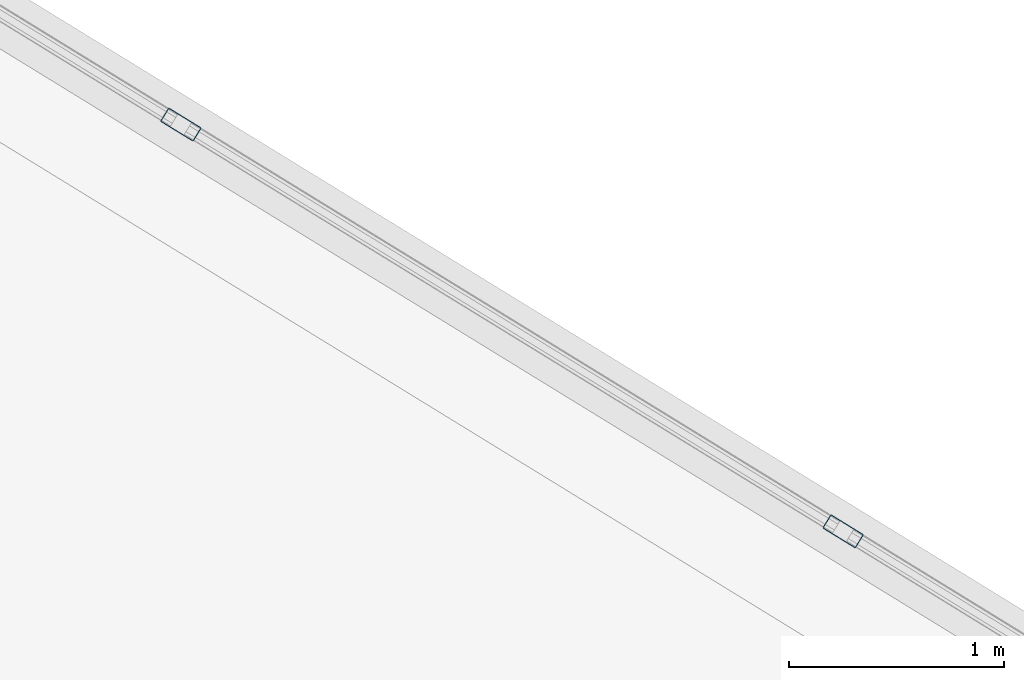
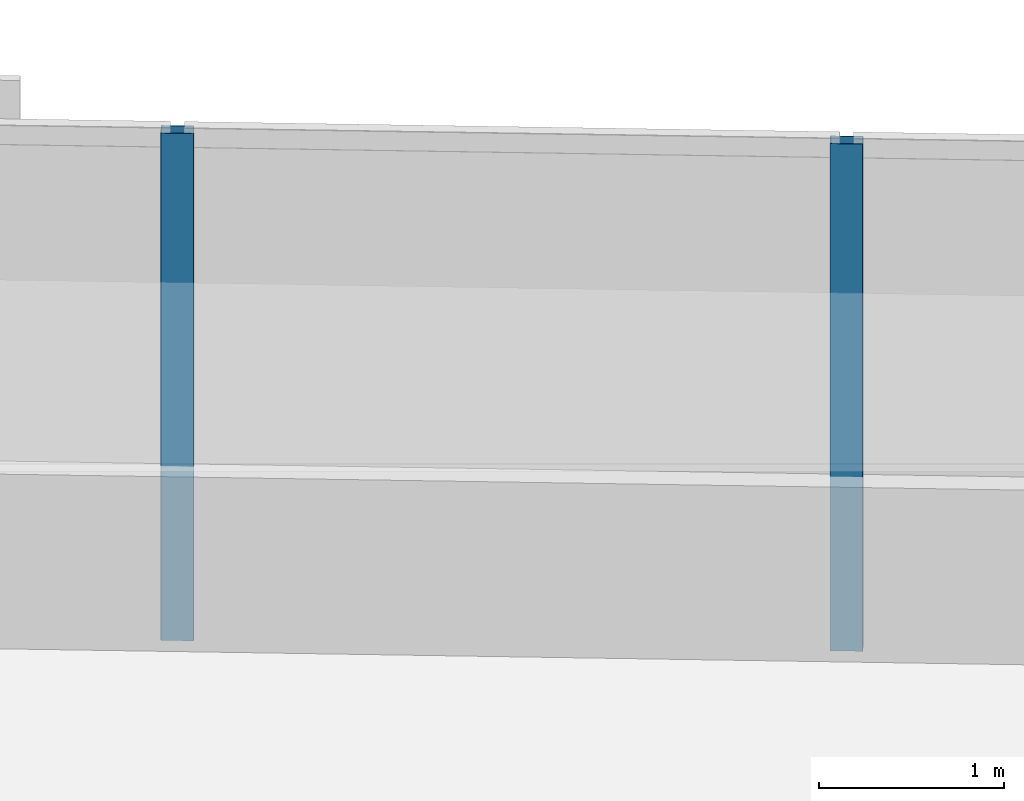
# One storey, part 8 of 18: 2 members, 1 element without a shape of its own.
"""IFC4 building model written with IfcOpenShell, lengths in metres."""

from ifc_helpers import new_model, si_unit, direction, frame, origin, origin_2d, place, context, subcontext, project, spatial, hollow_rectangle, extrude, material, material_profile, profile_set, type_object, element, aggregate, save


model = new_model("IFC4")

# Units and contexts
model_context = context("Model", 3, precision=1e-05, world=origin(), true_north=direction((0.0, 1.0)))
body_context = subcontext(model_context, "Body", "Model", "MODEL_VIEW")
ifc_project = project(units=[si_unit("LENGTHUNIT", "METRE"), si_unit("AREAUNIT", "SQUARE_METRE"), si_unit("VOLUMEUNIT", "CUBIC_METRE"), si_unit("PLANEANGLEUNIT", "RADIAN"), si_unit("MASSUNIT", "GRAM", prefix="KILO")], contexts=[model_context])

# Site, building, storey
site_placement = place(None, origin())
site = spatial("IfcSite", under=ifc_project, at=site_placement, CompositionType="ELEMENT")
building_placement = place(site_placement, origin())
building = spatial("IfcBuilding", under=site, at=building_placement, Name="Narakoshi Arena Tower", CompositionType="ELEMENT")
storey_placement = place(building_placement, frame((0.0, 0.0, 95.699951171875)))
storey = spatial("IfcBuildingStorey", under=building, at=storey_placement, Name="L25", CompositionType="ELEMENT", Elevation=95.699951171875)

# Curtain wall, members
ifc_material = material(Name="Anodised bronze aluminium 6063-T6", Category="aluminium")
curtain_wall_type = type_object("IfcCurtainWallType", Name="CW-HYP-LOW", PredefinedType="NOTDEFINED", material=ifc_material)
curtain_wall_placement = place(storey_placement, origin())
curtain_wall = element("IfcCurtainWall", 1, at=curtain_wall_placement, inside=storey, type_object=curtain_wall_type, Name="L25 Folded Hypotenuse Curtain Wall 1-1", PredefinedType="NOTDEFINED")
ifc_material_profile = material_profile(ifc_material, hollow_rectangle(XDim=0.074951171875, YDim=0.179931640625, WallThickness=0.00390625, OuterFilletRadius=0.0048828125, at=origin_2d()), Name="MUL180x75x4")
ifc_profile_set = profile_set([ifc_material_profile], Name="Anodised bronze aluminium 6063-T6")
member_type = type_object("IfcMemberType", Name="MEM-MUL-180", PredefinedType="MULLION", material=ifc_profile_set)
member_1_placement = place(storey_placement, frame((109.9638671875, 49.1982421875, 0.0), z_axis=(0.0, 0.0, 1.0), x_axis=(-0.523357676535, -0.852113104237, 0.0)))
member_1 = element("IfcMember", 2, at=member_1_placement, type_object=member_type, Name="CW-01 mullion 4", PredefinedType="MULLION", context=body_context, shape_type="SweptSolid", body=[
    extrude(hollow_rectangle(XDim=0.074951171875, YDim=0.179931640625, WallThickness=0.00390625, OuterFilletRadius=0.0048828125, at=origin_2d()), origin(), (0.0, 0.0, 1.0), 3.340087890625),
])
member_2_placement = place(storey_placement, frame((106.886962890625, 51.088134765625, 0.0), z_axis=(0.0, 0.0, 1.0), x_axis=(-0.523357676535, -0.852113104237, 0.0)))
member_2 = element("IfcMember", 3, at=member_2_placement, type_object=member_type, Name="CW-01 mullion 5", PredefinedType="MULLION", context=body_context, shape_type="SweptSolid", body=[
    extrude(hollow_rectangle(XDim=0.074951171875, YDim=0.179931640625, WallThickness=0.00390625, OuterFilletRadius=0.0048828125, at=origin_2d()), origin(), (0.0, 0.0, 1.0), 3.340087890625),
])
aggregate(curtain_wall, [member_1, member_2])

save(model, "model.ifc")
